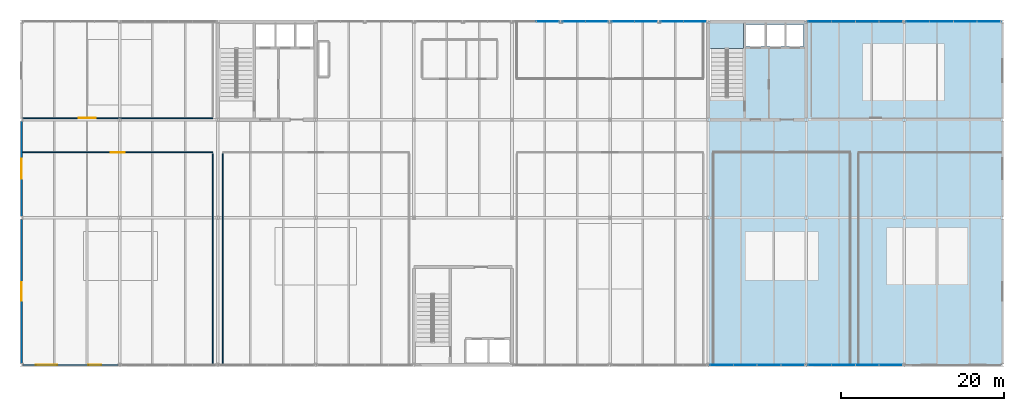
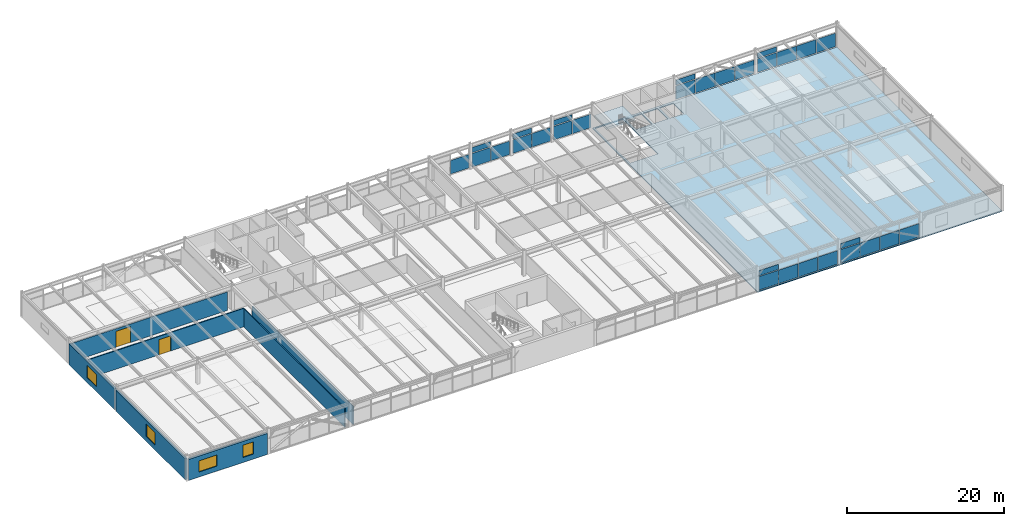
# One storey, part 43 of 51: 30 plates, 7 walls, 4 windows, 2 doors, 2 slabs, 6 openings, 9 elements without a shape of their own.
"""IFC4 building model written with IfcOpenShell, lengths in metres."""

from ifc_helpers import new_model, si_unit, direction, frame, frame_2d, origin, origin_2d, place, context, subcontext, project, spatial, polyline, rectangle, outline, extrude, material, layer, layer_set, type_object, element, fill, aggregate, save


model = new_model("IFC4")

# Units and contexts
model_context = context("Model", 3, precision=1e-05, world=origin(), true_north=direction((0.0, 1.0)))
body_context = subcontext(model_context, "Body", "Model", "MODEL_VIEW")
ifc_project = project(units=[si_unit("LENGTHUNIT", "METRE"), si_unit("AREAUNIT", "SQUARE_METRE"), si_unit("VOLUMEUNIT", "CUBIC_METRE"), si_unit("PLANEANGLEUNIT", "RADIAN"), si_unit("MASSUNIT", "GRAM", prefix="KILO")], contexts=[model_context])

# Site, building, storey
site_placement = place(None, origin())
site = spatial("IfcSite", under=ifc_project, at=site_placement, CompositionType="ELEMENT")
building_placement = place(site_placement, origin())
building = spatial("IfcBuilding", under=site, at=building_placement, Name="Girod Span Mobility Hub", CompositionType="ELEMENT")
storey_placement = place(building_placement, frame((0.0, 0.0, 41.60009765625)))
storey = spatial("IfcBuildingStorey", under=building, at=storey_placement, Name="L10", CompositionType="ELEMENT", Elevation=41.60009765625)

# Curtain wall, plate
ifc_material_1 = material(Name="Thermally Broken Anodised Aluminium", Category="aluminium")
curtain_wall_type_1 = type_object("IfcCurtainWallType", Name="CW-561X328", PredefinedType="USERDEFINED", material=ifc_material_1)
curtain_wall_1_placement = place(storey_placement, origin())
curtain_wall_1 = element("IfcCurtainWall", 1, at=curtain_wall_1_placement, inside=storey, type_object=curtain_wall_type_1, Name="Unitised Curtain Wall CW-L10-N08E L10", ObjectType="UNITISED CURTAIN WALL", PredefinedType="USERDEFINED")
ifc_material_2 = material(Name="Double Low-E Insulated Glazing", Category="glass")
ifc_layer_1 = layer(ifc_material_2, 0.048095703125)
ifc_layer_set_1 = layer_set([ifc_layer_1], Name="Double Low-E Insulated Glazing")
plate_type_1 = type_object("IfcPlateType", Name="PLT-SPN-2734X839X48", PredefinedType="CURTAIN_PANEL", material=ifc_layer_set_1)
plate_1_placement = place(storey_placement, frame((91.596923828125, 69.0, 2.3623046875), z_axis=(0.0, 0.0, 1.0), x_axis=(1.0, 0.0, 0.0)))
plate_1 = element("IfcPlate", 2, at=plate_1_placement, type_object=plate_type_1, Name="Spandrel Glazing Panel CW-L10-N08E-S1", PredefinedType="CURTAIN_PANEL", context=body_context, shape_type="SweptSolid", body=[
    extrude(rectangle(XDim=2.73974609375, YDim=0.048095703125, at=origin_2d()), origin(), (0.0, 0.0, 1.0), 0.798583984375),
])

curtain_wall_2_placement = place(storey_placement, origin())
curtain_wall_2 = element("IfcCurtainWall", 3, at=curtain_wall_2_placement, inside=storey, type_object=curtain_wall_type_1, Name="Unitised Curtain Wall CW-L10-N09W L10", ObjectType="UNITISED CURTAIN WALL", PredefinedType="USERDEFINED")
plate_2_placement = place(storey_placement, frame((97.599365234375, 69.0, 2.3623046875), z_axis=(0.0, 0.0, 1.0), x_axis=(1.0, 0.0, 0.0)))
plate_2 = element("IfcPlate", 4, at=plate_2_placement, type_object=plate_type_1, Name="Spandrel Glazing Panel CW-L10-N09W-S1", PredefinedType="CURTAIN_PANEL", context=body_context, shape_type="SweptSolid", body=[
    extrude(rectangle(XDim=2.73974609375, YDim=0.048095703125, at=origin_2d()), origin(), (0.0, 0.0, 1.0), 0.798583984375),
])

curtain_wall_3_placement = place(storey_placement, origin())
curtain_wall_3 = element("IfcCurtainWall", 5, at=curtain_wall_3_placement, inside=storey, type_object=curtain_wall_type_1, Name="Unitised Curtain Wall CW-L10-N09E L10", ObjectType="UNITISED CURTAIN WALL", PredefinedType="USERDEFINED")
plate_3_placement = place(storey_placement, frame((103.596923828125, 69.0, 2.3623046875), z_axis=(0.0, 0.0, 1.0), x_axis=(1.0, 0.0, 0.0)))
plate_3 = element("IfcPlate", 6, at=plate_3_placement, type_object=plate_type_1, Name="Spandrel Glazing Panel CW-L10-N09E-S1", PredefinedType="CURTAIN_PANEL", context=body_context, shape_type="SweptSolid", body=[
    extrude(rectangle(XDim=2.73974609375, YDim=0.048095703125, at=origin_2d()), origin(), (0.0, 0.0, 1.0), 0.798583984375),
])

ifc_material_3 = material(Name="Thermally Broken Anodised Aluminium", Category="aluminium")
curtain_wall_type_2 = type_object("IfcCurtainWallType", Name="CW-1161X328", PredefinedType="USERDEFINED", material=ifc_material_3)
curtain_wall_4_placement = place(storey_placement, origin())
curtain_wall_4 = element("IfcCurtainWall", 7, at=curtain_wall_4_placement, inside=storey, type_object=curtain_wall_type_2, Name="Unitised Curtain Wall CW-L10-N11 L10", ObjectType="UNITISED CURTAIN WALL", PredefinedType="USERDEFINED")
ifc_material_4 = material(Name="Double Low-E Insulated Glazing", Category="glass")
ifc_layer_2 = layer(ifc_material_4, 0.048095703125)
ifc_layer_set_2 = layer_set([ifc_layer_2], Name="Double Low-E Insulated Glazing")
plate_type_2 = type_object("IfcPlateType", Name="PLT-SPN-2832X839X48", PredefinedType="CURTAIN_PANEL", material=ifc_layer_set_2)
plate_4_placement = place(storey_placement, frame((121.6484375, 69.0, 2.3623046875), z_axis=(0.0, 0.0, 1.0), x_axis=(1.0, 0.0, 0.0)))
plate_4 = element("IfcPlate", 8, at=plate_4_placement, type_object=plate_type_2, Name="Spandrel Glazing Panel CW-L10-N11-S1", PredefinedType="CURTAIN_PANEL", context=body_context, shape_type="SweptSolid", body=[
    extrude(rectangle(XDim=2.837890625, YDim=0.048095703125, at=origin_2d()), origin(), (0.0, 0.0, 1.0), 0.798583984375),
])

curtain_wall_5_placement = place(storey_placement, origin())
curtain_wall_5 = element("IfcCurtainWall", 9, at=curtain_wall_5_placement, inside=storey, type_object=curtain_wall_type_2, Name="Unitised Curtain Wall CW-L10-S10 L10", ObjectType="UNITISED CURTAIN WALL", PredefinedType="USERDEFINED")
ifc_material_5 = material(Name="Double Low-E Insulated Glazing", Category="glass")
ifc_layer_3 = layer(ifc_material_5, 0.048095703125)
ifc_layer_set_3 = layer_set([ifc_layer_3], Name="Double Low-E Insulated Glazing")
plate_type_3 = type_object("IfcPlateType", Name="PLT-SPN-2833X839X48", PredefinedType="CURTAIN_PANEL", material=ifc_layer_set_3)
plate_5_placement = place(storey_placement, frame((109.646240234375, 27.0, 2.3623046875), z_axis=(0.0, 0.0, 1.0), x_axis=(1.0, 0.0, 0.0)))
plate_5 = element("IfcPlate", 10, at=plate_5_placement, type_object=plate_type_3, Name="Spandrel Glazing Panel CW-L10-S10-S1", PredefinedType="CURTAIN_PANEL", context=body_context, shape_type="SweptSolid", body=[
    extrude(rectangle(XDim=2.83837890625, YDim=0.048095703125, at=origin_2d()), origin(), (0.0, 0.0, 1.0), 0.798583984375),
])

curtain_wall_6_placement = place(storey_placement, origin())
curtain_wall_6 = element("IfcCurtainWall", 11, at=curtain_wall_6_placement, inside=storey, type_object=curtain_wall_type_2, Name="Unitised Curtain Wall CW-L10-S11 L10", ObjectType="UNITISED CURTAIN WALL", PredefinedType="USERDEFINED")
plate_6_placement = place(storey_placement, frame((121.646240234375, 27.0, 2.3623046875), z_axis=(0.0, 0.0, 1.0), x_axis=(1.0, 0.0, 0.0)))
plate_6 = element("IfcPlate", 12, at=plate_6_placement, type_object=plate_type_3, Name="Spandrel Glazing Panel CW-L10-S11-S1", PredefinedType="CURTAIN_PANEL", context=body_context, shape_type="SweptSolid", body=[
    extrude(rectangle(XDim=2.83837890625, YDim=0.048095703125, at=origin_2d()), origin(), (0.0, 0.0, 1.0), 0.798583984375),
])

curtain_wall_7_placement = place(storey_placement, origin())
curtain_wall_7 = element("IfcCurtainWall", 13, at=curtain_wall_7_placement, inside=storey, type_object=curtain_wall_type_2, Name="Unitised Curtain Wall CW-L10-N12 L10", ObjectType="UNITISED CURTAIN WALL", PredefinedType="USERDEFINED")
plate_7_placement = place(storey_placement, frame((133.646240234375, 69.0, 2.3623046875), z_axis=(0.0, 0.0, 1.0), x_axis=(1.0, 0.0, 0.0)))
plate_7 = element("IfcPlate", 14, at=plate_7_placement, type_object=plate_type_3, Name="Spandrel Glazing Panel CW-L10-N12-S1", PredefinedType="CURTAIN_PANEL", context=body_context, shape_type="SweptSolid", body=[
    extrude(rectangle(XDim=2.83837890625, YDim=0.048095703125, at=origin_2d()), origin(), (0.0, 0.0, 1.0), 0.798583984375),
])

curtain_wall_8_placement = place(storey_placement, origin())
curtain_wall_8 = element("IfcCurtainWall", 15, at=curtain_wall_8_placement, inside=storey, type_object=curtain_wall_type_1, Name="Unitised Curtain Wall CW-L10-N08W L10", ObjectType="UNITISED CURTAIN WALL", PredefinedType="USERDEFINED")
ifc_material_6 = material(Name="Double Low-E Insulated Glazing", Category="glass")
ifc_layer_4 = layer(ifc_material_6, 0.035888671875)
ifc_layer_set_4 = layer_set([ifc_layer_4], Name="Double Low-E Insulated Glazing")
plate_type_4 = type_object("IfcPlateType", Name="PLT-VIS-2734X2362X36", PredefinedType="CURTAIN_PANEL", material=ifc_layer_set_4)
plate_8_placement = place(storey_placement, frame((88.403076171875, 69.0, 0.14013671875), z_axis=(0.0, 0.0, 1.0), x_axis=(1.0, 0.0, 0.0)))
plate_8 = element("IfcPlate", 16, at=plate_8_placement, type_object=plate_type_4, Name="Vision Glazing Panel CW-L10-N08W-V2", PredefinedType="CURTAIN_PANEL", context=body_context, shape_type="SweptSolid", body=[
    extrude(rectangle(XDim=2.73974609375, YDim=0.035888671875, at=origin_2d()), origin(), (0.0, 0.0, 1.0), 2.102294921875),
])
aggregate(curtain_wall_8, [plate_8])

# Plate
plate_9_placement = place(storey_placement, frame((91.596923828125, 69.0, 0.14013671875), z_axis=(0.0, 0.0, 1.0), x_axis=(1.0, 0.0, 0.0)))
plate_9 = element("IfcPlate", 17, at=plate_9_placement, type_object=plate_type_4, Name="Vision Glazing Panel CW-L10-N08E-V1", PredefinedType="CURTAIN_PANEL", context=body_context, shape_type="SweptSolid", body=[
    extrude(rectangle(XDim=2.73974609375, YDim=0.035888671875, at=origin_2d()), origin(), (0.0, 0.0, 1.0), 2.102294921875),
])

plate_10_placement = place(storey_placement, frame((94.400634765625, 69.0, 0.14013671875), z_axis=(0.0, 0.0, 1.0), x_axis=(1.0, 0.0, 0.0)))
plate_10 = element("IfcPlate", 18, at=plate_10_placement, type_object=plate_type_4, Name="Vision Glazing Panel CW-L10-N08E-V2", PredefinedType="CURTAIN_PANEL", context=body_context, shape_type="SweptSolid", body=[
    extrude(rectangle(XDim=2.73974609375, YDim=0.035888671875, at=origin_2d()), origin(), (0.0, 0.0, 1.0), 2.102294921875),
])

aggregate(curtain_wall_1, [plate_9, plate_1, plate_10])

plate_11_placement = place(storey_placement, frame((97.599365234375, 69.0, 0.14013671875), z_axis=(0.0, 0.0, 1.0), x_axis=(1.0, 0.0, 0.0)))
plate_11 = element("IfcPlate", 19, at=plate_11_placement, type_object=plate_type_4, Name="Vision Glazing Panel CW-L10-N09W-V1", PredefinedType="CURTAIN_PANEL", context=body_context, shape_type="SweptSolid", body=[
    extrude(rectangle(XDim=2.73974609375, YDim=0.035888671875, at=origin_2d()), origin(), (0.0, 0.0, 1.0), 2.102294921875),
])

plate_12_placement = place(storey_placement, frame((100.403076171875, 69.0, 0.14013671875), z_axis=(0.0, 0.0, 1.0), x_axis=(1.0, 0.0, 0.0)))
plate_12 = element("IfcPlate", 20, at=plate_12_placement, type_object=plate_type_4, Name="Vision Glazing Panel CW-L10-N09W-V2", PredefinedType="CURTAIN_PANEL", context=body_context, shape_type="SweptSolid", body=[
    extrude(rectangle(XDim=2.73974609375, YDim=0.035888671875, at=origin_2d()), origin(), (0.0, 0.0, 1.0), 2.102294921875),
])

aggregate(curtain_wall_2, [plate_11, plate_2, plate_12])

plate_13_placement = place(storey_placement, frame((103.596923828125, 69.0, 0.14013671875), z_axis=(0.0, 0.0, 1.0), x_axis=(1.0, 0.0, 0.0)))
plate_13 = element("IfcPlate", 21, at=plate_13_placement, type_object=plate_type_4, Name="Vision Glazing Panel CW-L10-N09E-V1", PredefinedType="CURTAIN_PANEL", context=body_context, shape_type="SweptSolid", body=[
    extrude(rectangle(XDim=2.73974609375, YDim=0.035888671875, at=origin_2d()), origin(), (0.0, 0.0, 1.0), 2.102294921875),
])

plate_14_placement = place(storey_placement, frame((106.400634765625, 69.0, 0.14013671875), z_axis=(0.0, 0.0, 1.0), x_axis=(1.0, 0.0, 0.0)))
plate_14 = element("IfcPlate", 22, at=plate_14_placement, type_object=plate_type_4, Name="Vision Glazing Panel CW-L10-N09E-V2", PredefinedType="CURTAIN_PANEL", context=body_context, shape_type="SweptSolid", body=[
    extrude(rectangle(XDim=2.73974609375, YDim=0.035888671875, at=origin_2d()), origin(), (0.0, 0.0, 1.0), 2.102294921875),
])

aggregate(curtain_wall_3, [plate_13, plate_3, plate_14])

ifc_material_7 = material(Name="Double Low-E Insulated Glazing", Category="glass")
ifc_layer_5 = layer(ifc_material_7, 0.035888671875)
ifc_layer_set_5 = layer_set([ifc_layer_5], Name="Double Low-E Insulated Glazing")
plate_type_5 = type_object("IfcPlateType", Name="PLT-VIS-2832X2362X36", PredefinedType="CURTAIN_PANEL", material=ifc_layer_set_5)
plate_15_placement = place(storey_placement, frame((121.6484375, 69.0, 0.14013671875), z_axis=(0.0, 0.0, 1.0), x_axis=(1.0, 0.0, 0.0)))
plate_15 = element("IfcPlate", 23, at=plate_15_placement, type_object=plate_type_5, Name="Vision Glazing Panel CW-L10-N11-V1", PredefinedType="CURTAIN_PANEL", context=body_context, shape_type="SweptSolid", body=[
    extrude(rectangle(XDim=2.837890625, YDim=0.035888671875, at=origin_2d()), origin(), (0.0, 0.0, 1.0), 2.102294921875),
])

plate_16_placement = place(storey_placement, frame((124.55029296875, 69.0, 0.14013671875), z_axis=(0.0, 0.0, 1.0), x_axis=(1.0, 0.0, 0.0)))
plate_16 = element("IfcPlate", 24, at=plate_16_placement, type_object=plate_type_5, Name="Vision Glazing Panel CW-L10-N11-V2", PredefinedType="CURTAIN_PANEL", context=body_context, shape_type="SweptSolid", body=[
    extrude(rectangle(XDim=2.837890625, YDim=0.035888671875, at=origin_2d()), origin(), (0.0, 0.0, 1.0), 2.102294921875),
])

plate_17_placement = place(storey_placement, frame((127.4521484375, 69.0, 0.14013671875), z_axis=(0.0, 0.0, 1.0), x_axis=(1.0, 0.0, 0.0)))
plate_17 = element("IfcPlate", 25, at=plate_17_placement, type_object=plate_type_5, Name="Vision Glazing Panel CW-L10-N11-V3", PredefinedType="CURTAIN_PANEL", context=body_context, shape_type="SweptSolid", body=[
    extrude(rectangle(XDim=2.837890625, YDim=0.035888671875, at=origin_2d()), origin(), (0.0, 0.0, 1.0), 2.102294921875),
])

plate_18_placement = place(storey_placement, frame((130.35400390625, 69.0, 0.14013671875), z_axis=(0.0, 0.0, 1.0), x_axis=(1.0, 0.0, 0.0)))
plate_18 = element("IfcPlate", 26, at=plate_18_placement, type_object=plate_type_5, Name="Vision Glazing Panel CW-L10-N11-V4", PredefinedType="CURTAIN_PANEL", context=body_context, shape_type="SweptSolid", body=[
    extrude(rectangle(XDim=2.837890625, YDim=0.035888671875, at=origin_2d()), origin(), (0.0, 0.0, 1.0), 2.102294921875),
])

aggregate(curtain_wall_4, [plate_15, plate_4, plate_16, plate_17, plate_18])

ifc_material_8 = material(Name="Double Low-E Insulated Glazing", Category="glass")
ifc_layer_6 = layer(ifc_material_8, 0.035888671875)
ifc_layer_set_6 = layer_set([ifc_layer_6], Name="Double Low-E Insulated Glazing")
plate_type_6 = type_object("IfcPlateType", Name="PLT-VIS-2833X2362X36", PredefinedType="CURTAIN_PANEL", material=ifc_layer_set_6)
plate_19_placement = place(storey_placement, frame((109.646240234375, 27.0, 0.14013671875), z_axis=(0.0, 0.0, 1.0), x_axis=(1.0, 0.0, 0.0)))
plate_19 = element("IfcPlate", 27, at=plate_19_placement, type_object=plate_type_6, Name="Vision Glazing Panel CW-L10-S10-V1", PredefinedType="CURTAIN_PANEL", context=body_context, shape_type="SweptSolid", body=[
    extrude(rectangle(XDim=2.83837890625, YDim=0.035888671875, at=origin_2d()), origin(), (0.0, 0.0, 1.0), 2.102294921875),
])

plate_20_placement = place(storey_placement, frame((112.548828125, 27.0, 0.14013671875), z_axis=(0.0, 0.0, 1.0), x_axis=(1.0, 0.0, 0.0)))
plate_20 = element("IfcPlate", 28, at=plate_20_placement, type_object=plate_type_6, Name="Vision Glazing Panel CW-L10-S10-V2", PredefinedType="CURTAIN_PANEL", context=body_context, shape_type="SweptSolid", body=[
    extrude(rectangle(XDim=2.83837890625, YDim=0.035888671875, at=origin_2d()), origin(), (0.0, 0.0, 1.0), 2.102294921875),
])

plate_21_placement = place(storey_placement, frame((115.451171875, 27.0, 0.14013671875), z_axis=(0.0, 0.0, 1.0), x_axis=(1.0, 0.0, 0.0)))
plate_21 = element("IfcPlate", 29, at=plate_21_placement, type_object=plate_type_6, Name="Vision Glazing Panel CW-L10-S10-V3", PredefinedType="CURTAIN_PANEL", context=body_context, shape_type="SweptSolid", body=[
    extrude(rectangle(XDim=2.83837890625, YDim=0.035888671875, at=origin_2d()), origin(), (0.0, 0.0, 1.0), 2.102294921875),
])

plate_22_placement = place(storey_placement, frame((118.353759765625, 27.0, 0.14013671875), z_axis=(0.0, 0.0, 1.0), x_axis=(1.0, 0.0, 0.0)))
plate_22 = element("IfcPlate", 30, at=plate_22_placement, type_object=plate_type_6, Name="Vision Glazing Panel CW-L10-S10-V4", PredefinedType="CURTAIN_PANEL", context=body_context, shape_type="SweptSolid", body=[
    extrude(rectangle(XDim=2.83837890625, YDim=0.035888671875, at=origin_2d()), origin(), (0.0, 0.0, 1.0), 2.102294921875),
])

aggregate(curtain_wall_5, [plate_19, plate_5, plate_20, plate_21, plate_22])

plate_23_placement = place(storey_placement, frame((121.646240234375, 27.0, 0.14013671875), z_axis=(0.0, 0.0, 1.0), x_axis=(1.0, 0.0, 0.0)))
plate_23 = element("IfcPlate", 31, at=plate_23_placement, type_object=plate_type_6, Name="Vision Glazing Panel CW-L10-S11-V1", PredefinedType="CURTAIN_PANEL", context=body_context, shape_type="SweptSolid", body=[
    extrude(rectangle(XDim=2.83837890625, YDim=0.035888671875, at=origin_2d()), origin(), (0.0, 0.0, 1.0), 2.102294921875),
])

plate_24_placement = place(storey_placement, frame((124.548828125, 27.0, 0.14013671875), z_axis=(0.0, 0.0, 1.0), x_axis=(1.0, 0.0, 0.0)))
plate_24 = element("IfcPlate", 32, at=plate_24_placement, type_object=plate_type_6, Name="Vision Glazing Panel CW-L10-S11-V2", PredefinedType="CURTAIN_PANEL", context=body_context, shape_type="SweptSolid", body=[
    extrude(rectangle(XDim=2.83837890625, YDim=0.035888671875, at=origin_2d()), origin(), (0.0, 0.0, 1.0), 2.102294921875),
])

plate_25_placement = place(storey_placement, frame((127.451171875, 27.0, 0.14013671875), z_axis=(0.0, 0.0, 1.0), x_axis=(1.0, 0.0, 0.0)))
plate_25 = element("IfcPlate", 33, at=plate_25_placement, type_object=plate_type_6, Name="Vision Glazing Panel CW-L10-S11-V3", PredefinedType="CURTAIN_PANEL", context=body_context, shape_type="SweptSolid", body=[
    extrude(rectangle(XDim=2.83837890625, YDim=0.035888671875, at=origin_2d()), origin(), (0.0, 0.0, 1.0), 2.102294921875),
])

plate_26_placement = place(storey_placement, frame((130.353759765625, 27.0, 0.14013671875), z_axis=(0.0, 0.0, 1.0), x_axis=(1.0, 0.0, 0.0)))
plate_26 = element("IfcPlate", 34, at=plate_26_placement, type_object=plate_type_6, Name="Vision Glazing Panel CW-L10-S11-V4", PredefinedType="CURTAIN_PANEL", context=body_context, shape_type="SweptSolid", body=[
    extrude(rectangle(XDim=2.83837890625, YDim=0.035888671875, at=origin_2d()), origin(), (0.0, 0.0, 1.0), 2.102294921875),
])

aggregate(curtain_wall_6, [plate_23, plate_6, plate_24, plate_25, plate_26])

plate_27_placement = place(storey_placement, frame((133.646240234375, 69.0, 0.14013671875), z_axis=(0.0, 0.0, 1.0), x_axis=(1.0, 0.0, 0.0)))
plate_27 = element("IfcPlate", 35, at=plate_27_placement, type_object=plate_type_6, Name="Vision Glazing Panel CW-L10-N12-V1", PredefinedType="CURTAIN_PANEL", context=body_context, shape_type="SweptSolid", body=[
    extrude(rectangle(XDim=2.83837890625, YDim=0.035888671875, at=origin_2d()), origin(), (0.0, 0.0, 1.0), 2.102294921875),
])

plate_28_placement = place(storey_placement, frame((136.548828125, 69.0, 0.14013671875), z_axis=(0.0, 0.0, 1.0), x_axis=(1.0, 0.0, 0.0)))
plate_28 = element("IfcPlate", 36, at=plate_28_placement, type_object=plate_type_6, Name="Vision Glazing Panel CW-L10-N12-V2", PredefinedType="CURTAIN_PANEL", context=body_context, shape_type="SweptSolid", body=[
    extrude(rectangle(XDim=2.83837890625, YDim=0.035888671875, at=origin_2d()), origin(), (0.0, 0.0, 1.0), 2.102294921875),
])

plate_29_placement = place(storey_placement, frame((139.451171875, 69.0, 0.14013671875), z_axis=(0.0, 0.0, 1.0), x_axis=(1.0, 0.0, 0.0)))
plate_29 = element("IfcPlate", 37, at=plate_29_placement, type_object=plate_type_6, Name="Vision Glazing Panel CW-L10-N12-V3", PredefinedType="CURTAIN_PANEL", context=body_context, shape_type="SweptSolid", body=[
    extrude(rectangle(XDim=2.83837890625, YDim=0.035888671875, at=origin_2d()), origin(), (0.0, 0.0, 1.0), 2.102294921875),
])

plate_30_placement = place(storey_placement, frame((142.353759765625, 69.0, 0.14013671875), z_axis=(0.0, 0.0, 1.0), x_axis=(1.0, 0.0, 0.0)))
plate_30 = element("IfcPlate", 38, at=plate_30_placement, type_object=plate_type_6, Name="Vision Glazing Panel CW-L10-N12-V4", PredefinedType="CURTAIN_PANEL", context=body_context, shape_type="SweptSolid", body=[
    extrude(rectangle(XDim=2.83837890625, YDim=0.035888671875, at=origin_2d()), origin(), (0.0, 0.0, 1.0), 2.102294921875),
])

aggregate(curtain_wall_7, [plate_27, plate_7, plate_28, plate_29, plate_30])

# Slab
ifc_material_9 = material(Name="Concrete C40/50", Category="concrete")
ifc_layer_7 = layer(ifc_material_9, 0.1650390625)
ifc_layer_set_7 = layer_set([ifc_layer_7], Name="Concrete C40/50")
slab_type_1 = type_object("IfcSlabType", Name="SL-FLR-165", PredefinedType="FLOOR", material=ifc_layer_set_7)
slab_1_placement = place(storey_placement, frame((0.0, 0.0, -0.1650390625)))
element("IfcSlab", 39, at=slab_1_placement, inside=storey, type_object=slab_type_1, Name="Floor Slab L10 Sector E", PredefinedType="FLOOR", context=body_context, shape_type="SweptSolid", body=[
    extrude(outline(polyline([(144.0, 69.0), (144.0, 27.0), (108.0, 27.0), (108.0, 69.0), (144.0, 69.0)]), holes=[polyline([(108.219970703125, 68.820068359375), (108.219970703125, 59.8349609375), (112.340087890625, 59.8349609375), (112.340087890625, 68.820068359375), (108.219970703125, 68.820068359375)]), polyline([(112.64990234375, 65.949951171875), (114.949951171875, 65.949951171875), (114.949951171875, 68.64990234375), (112.64990234375, 68.64990234375), (112.64990234375, 65.949951171875)]), polyline([(115.199951171875, 68.64990234375), (115.199951171875, 65.949951171875), (117.35009765625, 65.949951171875), (117.35009765625, 68.64990234375), (115.199951171875, 68.64990234375)]), polyline([(117.60009765625, 68.64990234375), (117.60009765625, 65.949951171875), (119.64990234375, 65.949951171875), (119.64990234375, 68.64990234375), (117.60009765625, 68.64990234375)])]), origin(), (0.0, 0.0, 1.0), 0.1650390625),
])

# Stair, slab
ifc_material_10 = material(Name="Concrete C40/50", Category="concrete")
stair_type = type_object("IfcStairType", Name="STR-4000-W1860", PredefinedType="HALF_TURN_STAIR", material=ifc_material_10)
stair_placement = place(storey_placement, origin())
stair = element("IfcStair", 40, at=stair_placement, inside=storey, type_object=stair_type, Name="Exit Stair ST-2 L10", PredefinedType="HALF_TURN_STAIR")
ifc_material_11 = material(Name="Concrete C40/50", Category="concrete")
ifc_layer_8 = layer(ifc_material_11, 0.35498046875)
ifc_layer_set_8 = layer_set([ifc_layer_8], Name="Concrete C40/50")
slab_type_2 = type_object("IfcSlabType", Name="SL-LND-355", PredefinedType="LANDING", material=ifc_layer_set_8)
slab_2_placement = place(storey_placement, frame((0.0, 0.0, 1.64501953125)))
slab_2 = element("IfcSlab", 41, at=slab_2_placement, type_object=slab_type_2, Name="Stair ST-2 Half-Landing L10", PredefinedType="LANDING", context=body_context, shape_type="SweptSolid", body=[
    extrude(outline(polyline([(112.3349609375, 65.68603515625), (112.3349609375, 68.8349609375), (108.1650390625, 68.8349609375), (108.1650390625, 65.68603515625), (112.3349609375, 65.68603515625)])), origin(), (0.0, 0.0, 1.0), 0.35498046875),
])
aggregate(stair, [slab_2])

# Wall, openings, windows
ifc_material_12 = material(Name="Precast Architectural Concrete C40/50", Category="concrete")
ifc_layer_9 = layer(ifc_material_12, 0.27001953125)
ifc_layer_set_9 = layer_set([ifc_layer_9], Name="Precast Architectural Concrete C40/50")
wall_type_1 = type_object("IfcWallType", Name="W-EXT-270", PredefinedType="SOLIDWALL", material=ifc_layer_set_9)
wall_1_placement = place(storey_placement, frame((24.195068359375, 27.0, 0.0), z_axis=(0.0, 0.0, 1.0), x_axis=(1.0, 0.0, 0.0)))
wall_1 = element("IfcWall", 42, at=wall_1_placement, inside=storey, type_object=wall_type_1, Name="Office Insulated Facade Wall S-3 L10", PredefinedType="SOLIDWALL", context=body_context, shape_type="SweptSolid", body=[
    extrude(rectangle(XDim=11.60986328125, YDim=0.27001953125, at=frame_2d((5.804931640625, 0.0))), origin(), (0.0, 0.0, 1.0), 3.281005859375),
])
opening_1_placement = place(wall_1_placement, frame((1.56005859375, 0.0, 0.780029296875)))
opening_1 = element("IfcOpeningElement", 43, at=opening_1_placement, cuts=wall_1, Name="Opening W-L10-S2A", PredefinedType="OPENING", context=body_context, shape_type="SweptSolid", body=[
    extrude(rectangle(XDim=2.580078125, YDim=1.739990234375, at=frame_2d((1.2900390625, 0.8701171875))), frame((0.0, 0.14990234375, 0.0), z_axis=(0.0, -1.0, 0.0), x_axis=(1.0, 0.0, 0.0)), (0.0, 0.0, 1.0), 0.300048828125),
])
opening_2_placement = place(wall_1_placement, frame((7.97998046875, 0.0, 0.780029296875)))
opening_2 = element("IfcOpeningElement", 44, at=opening_2_placement, cuts=wall_1, Name="Opening W-L10-S2B", PredefinedType="OPENING", context=body_context, shape_type="SweptSolid", body=[
    extrude(rectangle(XDim=1.56005859375, YDim=1.89990234375, at=frame_2d((0.780029296875, 0.949951171875))), frame((0.0, 0.14990234375, 0.0), z_axis=(0.0, -1.0, 0.0), x_axis=(1.0, 0.0, 0.0)), (0.0, 0.0, 1.0), 0.300048828125),
])
ifc_material_13 = material(Name="Double Low-E Insulated Glazing", Category="glass")
window_type_1 = type_object("IfcWindowType", Name="WN-38", PartitioningType="DOUBLE_PANEL_VERTICAL", PredefinedType="WINDOW", material=ifc_material_13)
window_1_placement = place(opening_1_placement, origin())
window_1 = element("IfcWindow", 45, at=window_1_placement, inside=storey, type_object=window_type_1, Name="Office Window WN-38", OverallHeight=1.739990234375, OverallWidth=2.580078125, PartitioningType="DOUBLE_PANEL_VERTICAL", PredefinedType="WINDOW", context=body_context, shape_type="SweptSolid", body=[
    extrude(rectangle(XDim=2.580078125, YDim=1.739990234375, at=frame_2d((1.2900390625, 0.8701171875))), frame((0.0, 0.030029296875, 0.0), z_axis=(0.0, -1.0, 0.0), x_axis=(1.0, 0.0, 0.0)), (0.0, 0.0, 1.0), 0.06005859375),
])
fill(opening_1, window_1)
ifc_material_14 = material(Name="Double Low-E Insulated Glazing", Category="glass")
window_type_2 = type_object("IfcWindowType", Name="WN-39", PartitioningType="SINGLE_PANEL", PredefinedType="WINDOW", material=ifc_material_14)
window_2_placement = place(opening_2_placement, origin())
window_2 = element("IfcWindow", 46, at=window_2_placement, inside=storey, type_object=window_type_2, Name="Office Window WN-39", OverallHeight=1.89990234375, OverallWidth=1.56005859375, PartitioningType="SINGLE_PANEL", PredefinedType="WINDOW", context=body_context, shape_type="SweptSolid", body=[
    extrude(rectangle(XDim=1.56005859375, YDim=1.89990234375, at=frame_2d((0.780029296875, 0.949951171875))), frame((0.0, 0.030029296875, 0.0), z_axis=(0.0, -1.0, 0.0), x_axis=(1.0, 0.0, 0.0)), (0.0, 0.0, 1.0), 0.06005859375),
])
fill(opening_2, window_2)

# Wall, opening, window
wall_2_placement = place(storey_placement, frame((24.0, 27.185546875, 0.0), z_axis=(0.0, 0.0, 1.0), x_axis=(0.0, 1.0, 0.0)))
wall_2 = element("IfcWall", 47, at=wall_2_placement, inside=storey, type_object=wall_type_1, Name="End Facade Insulated Wall W-C L10", PredefinedType="SOLIDWALL", context=body_context, shape_type="SweptSolid", body=[
    extrude(rectangle(XDim=17.62890625, YDim=0.27001953125, at=frame_2d((8.814453125, 0.0))), origin(), (0.0, 0.0, 1.0), 3.281005859375),
])
opening_3_placement = place(wall_2_placement, frame((7.68505859375, 0.0, 0.780029296875)))
opening_3 = element("IfcOpeningElement", 48, at=opening_3_placement, cuts=wall_2, Name="Opening W-L10-W2", PredefinedType="OPENING", context=body_context, shape_type="SweptSolid", body=[
    extrude(rectangle(XDim=2.260009765625, YDim=1.89990234375, at=frame_2d((1.1298828125, 0.949951171875))), frame((0.0, 0.14990234375, 0.0), z_axis=(0.0, -1.0, 0.0), x_axis=(1.0, 0.0, 0.0)), (0.0, 0.0, 1.0), 0.300048828125),
])
ifc_material_15 = material(Name="Double Low-E Insulated Glazing", Category="glass")
window_type_3 = type_object("IfcWindowType", Name="WN-42", PartitioningType="DOUBLE_PANEL_VERTICAL", PredefinedType="WINDOW", material=ifc_material_15)
window_3_placement = place(opening_3_placement, origin())
window_3 = element("IfcWindow", 49, at=window_3_placement, inside=storey, type_object=window_type_3, Name="End Office Window WN-42", OverallHeight=1.89990234375, OverallWidth=2.260009765625, PartitioningType="DOUBLE_PANEL_VERTICAL", PredefinedType="WINDOW", context=body_context, shape_type="SweptSolid", body=[
    extrude(rectangle(XDim=2.260009765625, YDim=1.89990234375, at=frame_2d((1.1298828125, 0.949951171875))), frame((0.0, 0.030029296875, 0.0), z_axis=(0.0, -1.0, 0.0), x_axis=(1.0, 0.0, 0.0)), (0.0, 0.0, 1.0), 0.06005859375),
])
fill(opening_3, window_3)

wall_3_placement = place(storey_placement, frame((24.0, 45.185546875, 0.0), z_axis=(0.0, 0.0, 1.0), x_axis=(0.0, 1.0, 0.0)))
wall_3 = element("IfcWall", 50, at=wall_3_placement, inside=storey, type_object=wall_type_1, Name="End Facade Insulated Wall W-D L10", PredefinedType="SOLIDWALL", context=body_context, shape_type="SweptSolid", body=[
    extrude(rectangle(XDim=11.62890625, YDim=0.27001953125, at=frame_2d((5.814453125, 0.0))), origin(), (0.0, 0.0, 1.0), 3.281005859375),
])
opening_4_placement = place(wall_3_placement, frame((4.56396484375, 0.0, 0.780029296875)))
opening_4 = element("IfcOpeningElement", 51, at=opening_4_placement, cuts=wall_3, Name="Opening W-L10-W3", PredefinedType="OPENING", context=body_context, shape_type="SweptSolid", body=[
    extrude(rectangle(XDim=2.5, YDim=1.89990234375, at=frame_2d((1.25, 0.949951171875))), frame((0.0, 0.14990234375, 0.0), z_axis=(0.0, -1.0, 0.0), x_axis=(1.0, 0.0, 0.0)), (0.0, 0.0, 1.0), 0.300048828125),
])
ifc_material_16 = material(Name="Double Low-E Insulated Glazing", Category="glass")
window_type_4 = type_object("IfcWindowType", Name="WN-43", PartitioningType="DOUBLE_PANEL_VERTICAL", PredefinedType="WINDOW", material=ifc_material_16)
window_4_placement = place(opening_4_placement, origin())
window_4 = element("IfcWindow", 52, at=window_4_placement, inside=storey, type_object=window_type_4, Name="End Office Window WN-43", OverallHeight=1.89990234375, OverallWidth=2.5, PartitioningType="DOUBLE_PANEL_VERTICAL", PredefinedType="WINDOW", context=body_context, shape_type="SweptSolid", body=[
    extrude(rectangle(XDim=2.5, YDim=1.89990234375, at=frame_2d((1.25, 0.949951171875))), frame((0.0, 0.030029296875, 0.0), z_axis=(0.0, -1.0, 0.0), x_axis=(1.0, 0.0, 0.0)), (0.0, 0.0, 1.0), 0.06005859375),
])
fill(opening_4, window_4)

# Wall, opening, door
ifc_material_17 = material(Name="Fire-Rated Gypsum Board on Metal Studs", Category="gypsum")
ifc_layer_10 = layer(ifc_material_17, 0.125)
ifc_layer_set_10 = layer_set([ifc_layer_10], Name="Fire-Rated Gypsum Board on Metal Studs")
wall_type_2 = type_object("IfcWallType", Name="W-PT-125", PredefinedType="PARTITIONING", material=ifc_layer_set_10)
wall_4_placement = place(storey_placement, frame((24.139892578125, 57.199951171875, 0.0), z_axis=(0.0, 0.0, 1.0), x_axis=(1.0, 0.0, 0.0)))
wall_4 = element("IfcWall", 53, at=wall_4_placement, inside=storey, type_object=wall_type_2, Name="Engineering Studio West L10 Partition S", PredefinedType="PARTITIONING", context=body_context, shape_type="SweptSolid", body=[
    extrude(rectangle(XDim=23.260009765625, YDim=0.125, at=frame_2d((11.6298828125, 0.0))), origin(), (0.0, 0.0, 1.0), 2.8798828125),
])
opening_5_placement = place(wall_4_placement, frame((6.85791015625, 0.0, 0.0)))
opening_5 = element("IfcOpeningElement", 54, at=opening_5_placement, cuts=wall_4, Name="Opening D-L10-OFF-NW", PredefinedType="OPENING", context=body_context, shape_type="SweptSolid", body=[
    extrude(rectangle(XDim=2.10009765625, YDim=2.469970703125, at=frame_2d((1.050048828125, 1.23486328125))), frame((0.0, 0.077392578125, 0.0), z_axis=(0.0, -1.0, 0.0), x_axis=(1.0, 0.0, 0.0)), (0.0, 0.0, 1.0), 0.155029296875),
])
ifc_material_18 = material(Name="Solid-Core Architectural Timber", Category="wood")
door_type_1 = type_object("IfcDoorType", Name="DT-NR-22", OperationType="DOUBLE_DOOR_SINGLE_SWING", PredefinedType="DOOR", material=ifc_material_18)
door_1_placement = place(opening_5_placement, origin())
door_1 = element("IfcDoor", 55, at=door_1_placement, inside=storey, type_object=door_type_1, Name="Engineering Studio West L10 Door", OperationType="DOUBLE_DOOR_SINGLE_SWING", OverallHeight=2.469970703125, OverallWidth=2.10009765625, PredefinedType="DOOR", context=body_context, shape_type="SweptSolid", body=[
    extrude(rectangle(XDim=2.10009765625, YDim=2.469970703125, at=frame_2d((1.050048828125, 1.23486328125))), frame((0.0, 0.02490234375, 0.0), z_axis=(0.0, -1.0, 0.0), x_axis=(1.0, 0.0, 0.0)), (0.0, 0.0, 1.0), 0.050048828125),
])
fill(opening_5, door_1)

ifc_material_19 = material(Name="Fire-Rated Gypsum Board on Metal Studs", Category="gypsum")
ifc_layer_11 = layer(ifc_material_19, 0.139892578125)
ifc_layer_set_11 = layer_set([ifc_layer_11], Name="Fire-Rated Gypsum Board on Metal Studs")
wall_type_3 = type_object("IfcWallType", Name="W-PT-140", PredefinedType="PARTITIONING", material=ifc_layer_set_11)
wall_5_placement = place(storey_placement, frame((24.139892578125, 53.0, 0.0), z_axis=(0.0, 0.0, 1.0), x_axis=(1.0, 0.0, 0.0)))
wall_5 = element("IfcWall", 56, at=wall_5_placement, inside=storey, type_object=wall_type_3, Name="Office Suite South West L10 Partition N", PredefinedType="PARTITIONING", context=body_context, shape_type="SweptSolid", body=[
    extrude(rectangle(XDim=23.260009765625, YDim=0.139892578125, at=frame_2d((11.6298828125, 0.0))), origin(), (0.0, 0.0, 1.0), 2.8798828125),
])
opening_6_placement = place(wall_5_placement, frame((10.764892578125, 0.0, 0.0)))
opening_6 = element("IfcOpeningElement", 57, at=opening_6_placement, cuts=wall_5, Name="Opening D-L10-OFF-SW", PredefinedType="OPENING", context=body_context, shape_type="SweptSolid", body=[
    extrude(rectangle(XDim=1.72998046875, YDim=2.3701171875, at=frame_2d((0.864990234375, 1.18505859375))), frame((0.0, 0.0849609375, 0.0), z_axis=(0.0, -1.0, 0.0), x_axis=(1.0, 0.0, 0.0)), (0.0, 0.0, 1.0), 0.169921875),
])
ifc_material_20 = material(Name="Solid-Core Architectural Timber", Category="wood")
door_type_2 = type_object("IfcDoorType", Name="DT-NR-17", OperationType="DOUBLE_DOOR_SINGLE_SWING", PredefinedType="DOOR", material=ifc_material_20)
door_2_placement = place(opening_6_placement, origin())
door_2 = element("IfcDoor", 58, at=door_2_placement, inside=storey, type_object=door_type_2, Name="Office Suite South West L10 Door", OperationType="DOUBLE_DOOR_SINGLE_SWING", OverallHeight=2.3701171875, OverallWidth=1.72998046875, PredefinedType="DOOR", context=body_context, shape_type="SweptSolid", body=[
    extrude(rectangle(XDim=1.72998046875, YDim=2.3701171875, at=frame_2d((0.864990234375, 1.18505859375))), frame((0.0, 0.02490234375, 0.0), z_axis=(0.0, -1.0, 0.0), x_axis=(1.0, 0.0, 0.0)), (0.0, 0.0, 1.0), 0.050048828125),
])
fill(opening_6, door_2)

# Walls
for number, where, z_axis, x_axis, name in (
    (59, (47.39990234375, 27.139892578125, 0.0), (0.0, 0.0, 1.0), (0.0, 1.0, 0.0), "Office Suite South West L10 Partition E"),
    (60, (48.60009765625, 27.139892578125, 0.0), (0.0, 0.0, 1.0), (0.0, 1.0, 0.0), "Conference Room West L10 Partition W"),
):
    element("IfcWall", number, at=place(storey_placement, frame(where, z_axis=z_axis, x_axis=x_axis)), inside=storey, type_object=wall_type_3, Name=name, PredefinedType="PARTITIONING", context=body_context, shape_type="SweptSolid", body=[
        extrude(rectangle(XDim=25.7001953125, YDim=0.139892578125, at=frame_2d((12.85009765625, 0.0))), origin(), (0.0, 0.0, 1.0), 2.8798828125),
    ])

save(model, "model.ifc")
